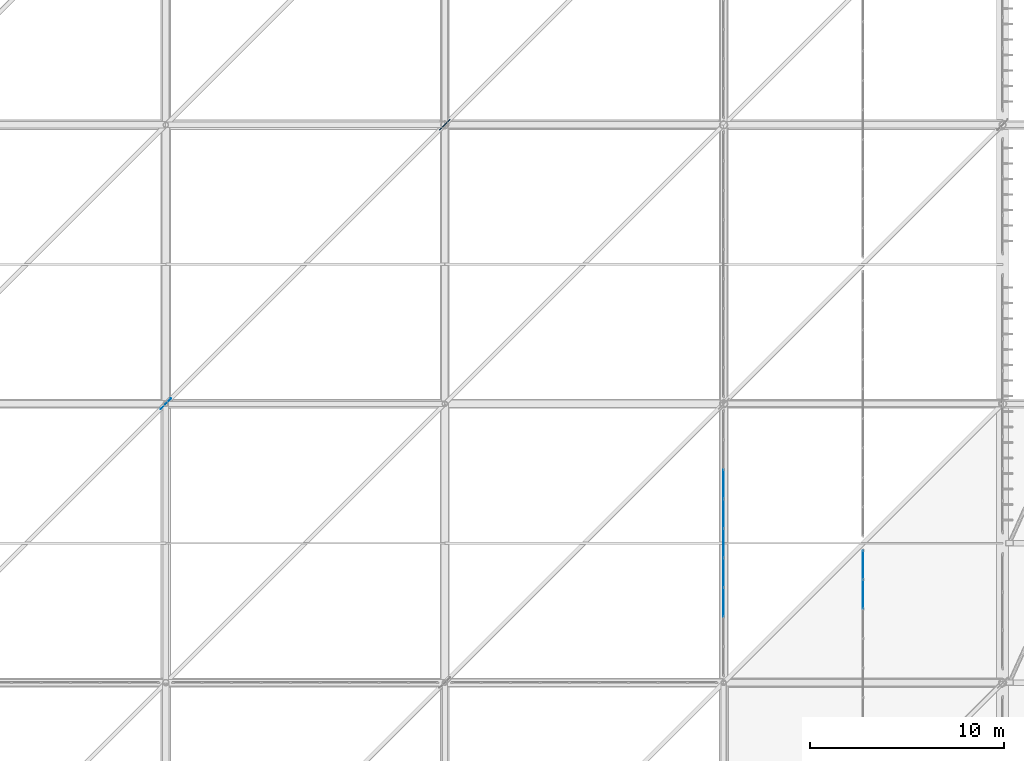
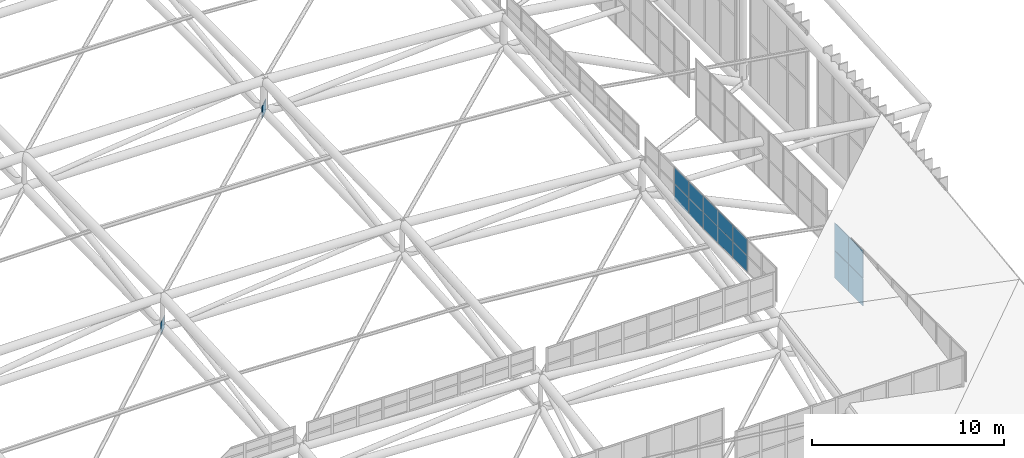
# One storey, part 368 of 397: 16 plates, 2 elements without a shape of their own.
"""IFC4 building model written with IfcOpenShell, lengths in metres."""

from ifc_helpers import new_model, si_unit, direction, frame, origin, origin_2d, place, context, subcontext, project, spatial, rectangle, extrude, material, layer, layer_set, type_object, element, aggregate, save


model = new_model("IFC4")

# Units and contexts
model_context = context("Model", 3, precision=1e-05, world=origin(), true_north=direction((0.0, 1.0)))
body_context = subcontext(model_context, "Body", "Model", "MODEL_VIEW")
ifc_project = project(units=[si_unit("LENGTHUNIT", "METRE"), si_unit("AREAUNIT", "SQUARE_METRE"), si_unit("VOLUMEUNIT", "CUBIC_METRE"), si_unit("PLANEANGLEUNIT", "RADIAN"), si_unit("MASSUNIT", "GRAM", prefix="KILO")], contexts=[model_context])

# Site, building, storey
site_placement = place(None, origin())
site = spatial("IfcSite", under=ifc_project, at=site_placement, CompositionType="ELEMENT")
building_placement = place(site_placement, origin())
building = spatial("IfcBuilding", under=site, at=building_placement, Name="Qandorah Velis Arena", CompositionType="ELEMENT")
storey_placement = place(building_placement, frame((0.0, 0.0, 27.5)))
storey = spatial("IfcBuildingStorey", under=building, at=storey_placement, Name="RF", CompositionType="ELEMENT", Elevation=27.5)

# Curtain wall, plates
ifc_material_1 = material(Name="Solar-control low-E double glazing", Category="glass")
curtain_wall_type_1 = type_object("IfcCurtainWallType", Name="ARC-CW-SYS13", PredefinedType="USERDEFINED", material=ifc_material_1)
curtain_wall_1_placement = place(storey_placement, origin())
curtain_wall_1 = element("IfcCurtainWall", 1, at=curtain_wall_1_placement, inside=storey, type_object=curtain_wall_type_1, Name="Unitised curtain wall MON-2-1", ObjectType="UNITISED CURTAIN WALL", PredefinedType="USERDEFINED")
ifc_layer_1 = layer(ifc_material_1, 0.030029296875)
ifc_layer_set_1 = layer_set([ifc_layer_1], Name="Solar-control low-E double glazing")
plate_type_1 = type_object("IfcPlateType", Name="ARC-CWP-GLZ30", PredefinedType="CURTAIN_PANEL", material=ifc_layer_set_1)
plate_1_placement = place(storey_placement, frame((108.0, 33.36669921875, 3.58642578125), z_axis=(0.0, 0.0, 1.0), x_axis=(0.0, 1.0, 0.0)))
plate_1 = element("IfcPlate", 2, at=plate_1_placement, type_object=plate_type_1, Name="CW13 panel 8.1", PredefinedType="CURTAIN_PANEL", context=body_context, shape_type="SweptSolid", body=[
    extrude(rectangle(XDim=1.4873046875, YDim=0.030029296875, at=origin_2d()), origin(), (0.0, 0.0, 1.0), 1.737548828125),
])
plate_2_placement = place(storey_placement, frame((108.0, 33.36669921875, 5.35888671875), z_axis=(0.0, 0.0, 1.0), x_axis=(0.0, 1.0, 0.0)))
plate_2 = element("IfcPlate", 3, at=plate_2_placement, type_object=plate_type_1, Name="CW13 panel 8.2", PredefinedType="CURTAIN_PANEL", context=body_context, shape_type="SweptSolid", body=[
    extrude(rectangle(XDim=1.4873046875, YDim=0.030029296875, at=origin_2d()), origin(), (0.0, 0.0, 1.0), 1.737548828125),
])
plate_3_placement = place(storey_placement, frame((108.0, 34.875244140625, 3.58642578125), z_axis=(0.0, 0.0, 1.0), x_axis=(0.0, 1.0, 0.0)))
plate_3 = element("IfcPlate", 4, at=plate_3_placement, type_object=plate_type_1, Name="CW13 panel 9.1", PredefinedType="CURTAIN_PANEL", context=body_context, shape_type="SweptSolid", body=[
    extrude(rectangle(XDim=1.459716796875, YDim=0.030029296875, at=origin_2d()), origin(), (0.0, 0.0, 1.0), 1.737548828125),
])
plate_4_placement = place(storey_placement, frame((108.0, 34.875244140625, 5.35888671875), z_axis=(0.0, 0.0, 1.0), x_axis=(0.0, 1.0, 0.0)))
plate_4 = element("IfcPlate", 5, at=plate_4_placement, type_object=plate_type_1, Name="CW13 panel 9.2", PredefinedType="CURTAIN_PANEL", context=body_context, shape_type="SweptSolid", body=[
    extrude(rectangle(XDim=1.459716796875, YDim=0.030029296875, at=origin_2d()), origin(), (0.0, 0.0, 1.0), 1.737548828125),
])
aggregate(curtain_wall_1, [plate_1, plate_2, plate_3, plate_4])

curtain_wall_type_2 = type_object("IfcCurtainWallType", Name="ARC-CW-SYS11", PredefinedType="USERDEFINED", material=ifc_material_1)
curtain_wall_2_placement = place(storey_placement, origin())
curtain_wall_2 = element("IfcCurtainWall", 6, at=curtain_wall_2_placement, inside=storey, type_object=curtain_wall_type_2, Name="Unitised curtain wall OCULUS-2-1", ObjectType="UNITISED CURTAIN WALL", PredefinedType="USERDEFINED")
plate_5_placement = place(storey_placement, frame((100.800048828125, 32.95556640625, 8.53125), z_axis=(0.0, 0.0, 1.0), x_axis=(0.0, 1.0, 0.0)))
plate_5 = element("IfcPlate", 7, at=plate_5_placement, type_object=plate_type_1, Name="CW11 panel 3.1", PredefinedType="CURTAIN_PANEL", context=body_context, shape_type="SweptSolid", body=[
    extrude(rectangle(XDim=1.4873046875, YDim=0.030029296875, at=origin_2d()), origin(), (0.0, 0.0, 1.0), 1.012451171875),
])
plate_6_placement = place(storey_placement, frame((100.800048828125, 32.95556640625, 9.57861328125), z_axis=(0.0, 0.0, 1.0), x_axis=(0.0, 1.0, 0.0)))
plate_6 = element("IfcPlate", 8, at=plate_6_placement, type_object=plate_type_1, Name="CW11 panel 3.2", PredefinedType="CURTAIN_PANEL", context=body_context, shape_type="SweptSolid", body=[
    extrude(rectangle(XDim=1.4873046875, YDim=0.030029296875, at=origin_2d()), origin(), (0.0, 0.0, 1.0), 1.012451171875),
])
plate_7_placement = place(storey_placement, frame((100.800048828125, 34.477783203125, 8.53125), z_axis=(0.0, 0.0, 1.0), x_axis=(0.0, 1.0, 0.0)))
plate_7 = element("IfcPlate", 9, at=plate_7_placement, type_object=plate_type_1, Name="CW11 panel 4.1", PredefinedType="CURTAIN_PANEL", context=body_context, shape_type="SweptSolid", body=[
    extrude(rectangle(XDim=1.4873046875, YDim=0.030029296875, at=origin_2d()), origin(), (0.0, 0.0, 1.0), 1.012451171875),
])
plate_8_placement = place(storey_placement, frame((100.800048828125, 34.477783203125, 9.57861328125), z_axis=(0.0, 0.0, 1.0), x_axis=(0.0, 1.0, 0.0)))
plate_8 = element("IfcPlate", 10, at=plate_8_placement, type_object=plate_type_1, Name="CW11 panel 4.2", PredefinedType="CURTAIN_PANEL", context=body_context, shape_type="SweptSolid", body=[
    extrude(rectangle(XDim=1.4873046875, YDim=0.030029296875, at=origin_2d()), origin(), (0.0, 0.0, 1.0), 1.012451171875),
])
plate_9_placement = place(storey_placement, frame((100.800048828125, 36.0, 8.53125), z_axis=(0.0, 0.0, 1.0), x_axis=(0.0, 1.0, 0.0)))
plate_9 = element("IfcPlate", 11, at=plate_9_placement, type_object=plate_type_1, Name="CW11 panel 5.1", PredefinedType="CURTAIN_PANEL", context=body_context, shape_type="SweptSolid", body=[
    extrude(rectangle(XDim=1.4873046875, YDim=0.030029296875, at=origin_2d()), origin(), (0.0, 0.0, 1.0), 1.012451171875),
])
plate_10_placement = place(storey_placement, frame((100.800048828125, 36.0, 9.57861328125), z_axis=(0.0, 0.0, 1.0), x_axis=(0.0, 1.0, 0.0)))
plate_10 = element("IfcPlate", 12, at=plate_10_placement, type_object=plate_type_1, Name="CW11 panel 5.2", PredefinedType="CURTAIN_PANEL", context=body_context, shape_type="SweptSolid", body=[
    extrude(rectangle(XDim=1.4873046875, YDim=0.030029296875, at=origin_2d()), origin(), (0.0, 0.0, 1.0), 1.012451171875),
])
plate_11_placement = place(storey_placement, frame((100.800048828125, 37.522216796875, 8.53125), z_axis=(0.0, 0.0, 1.0), x_axis=(0.0, 1.0, 0.0)))
plate_11 = element("IfcPlate", 13, at=plate_11_placement, type_object=plate_type_1, Name="CW11 panel 6.1", PredefinedType="CURTAIN_PANEL", context=body_context, shape_type="SweptSolid", body=[
    extrude(rectangle(XDim=1.4873046875, YDim=0.030029296875, at=origin_2d()), origin(), (0.0, 0.0, 1.0), 1.012451171875),
])
plate_12_placement = place(storey_placement, frame((100.800048828125, 37.522216796875, 9.57861328125), z_axis=(0.0, 0.0, 1.0), x_axis=(0.0, 1.0, 0.0)))
plate_12 = element("IfcPlate", 14, at=plate_12_placement, type_object=plate_type_1, Name="CW11 panel 6.2", PredefinedType="CURTAIN_PANEL", context=body_context, shape_type="SweptSolid", body=[
    extrude(rectangle(XDim=1.4873046875, YDim=0.030029296875, at=origin_2d()), origin(), (0.0, 0.0, 1.0), 1.012451171875),
])
plate_13_placement = place(storey_placement, frame((100.800048828125, 39.04443359375, 8.53125), z_axis=(0.0, 0.0, 1.0), x_axis=(0.0, 1.0, 0.0)))
plate_13 = element("IfcPlate", 15, at=plate_13_placement, type_object=plate_type_1, Name="CW11 panel 7.1", PredefinedType="CURTAIN_PANEL", context=body_context, shape_type="SweptSolid", body=[
    extrude(rectangle(XDim=1.4873046875, YDim=0.030029296875, at=origin_2d()), origin(), (0.0, 0.0, 1.0), 1.012451171875),
])
plate_14_placement = place(storey_placement, frame((100.800048828125, 39.04443359375, 9.57861328125), z_axis=(0.0, 0.0, 1.0), x_axis=(0.0, 1.0, 0.0)))
plate_14 = element("IfcPlate", 16, at=plate_14_placement, type_object=plate_type_1, Name="CW11 panel 7.2", PredefinedType="CURTAIN_PANEL", context=body_context, shape_type="SweptSolid", body=[
    extrude(rectangle(XDim=1.4873046875, YDim=0.030029296875, at=origin_2d()), origin(), (0.0, 0.0, 1.0), 1.012451171875),
])
aggregate(curtain_wall_2, [plate_5, plate_6, plate_7, plate_8, plate_9, plate_10, plate_11, plate_12, plate_13, plate_14])

# Plates
ifc_material_2 = material(Name="Steel S355", Category="steel")
ifc_layer_2 = layer(ifc_material_2, 0.02001953125)
ifc_layer_set_2 = layer_set([ifc_layer_2], Name="Steel S355")
plate_type_2 = type_object("IfcPlateType", Name="STR-PLT-GUS20", PredefinedType="SHEET", material=ifc_layer_set_2)
plate_15_placement = place(storey_placement, frame((72.0, 43.199951171875, 8.198486328125), z_axis=(0.0, 0.0, 1.0), x_axis=(0.707106781187, 0.707106781187, 0.0)))
element("IfcPlate", 17, at=plate_15_placement, inside=storey, type_object=plate_type_2, Name="Space frame gusset plate 4.2", PredefinedType="SHEET", context=body_context, shape_type="SweptSolid", body=[
    extrude(rectangle(XDim=0.75, YDim=0.02001953125, at=origin_2d()), origin(), (0.0, 0.0, 1.0), 0.75),
])
ifc_layer_3 = layer(ifc_material_2, 0.0400390625)
ifc_layer_set_3 = layer_set([ifc_layer_3], Name="Steel S355")
plate_type_3 = type_object("IfcPlateType", Name="STR-PLT-GUS40", PredefinedType="SHEET", material=ifc_layer_set_3)
plate_16_placement = place(storey_placement, frame((86.39990234375, 57.60009765625, 8.174072265625), z_axis=(0.0, 0.0, 1.0), x_axis=(0.707106781187, 0.707106781187, 0.0)))
element("IfcPlate", 18, at=plate_16_placement, inside=storey, type_object=plate_type_3, Name="Space frame gusset plate 5.3", PredefinedType="SHEET", context=body_context, shape_type="SweptSolid", body=[
    extrude(rectangle(XDim=0.75, YDim=0.0400390625, at=origin_2d()), origin(), (0.0, 0.0, 1.0), 0.75),
])

save(model, "model.ifc")
